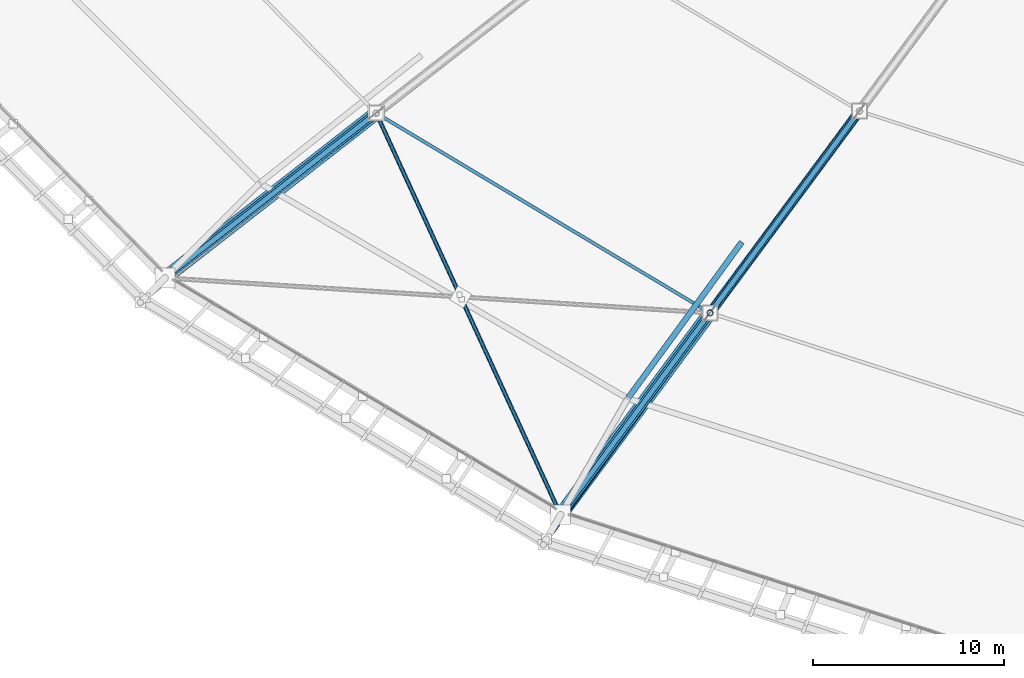
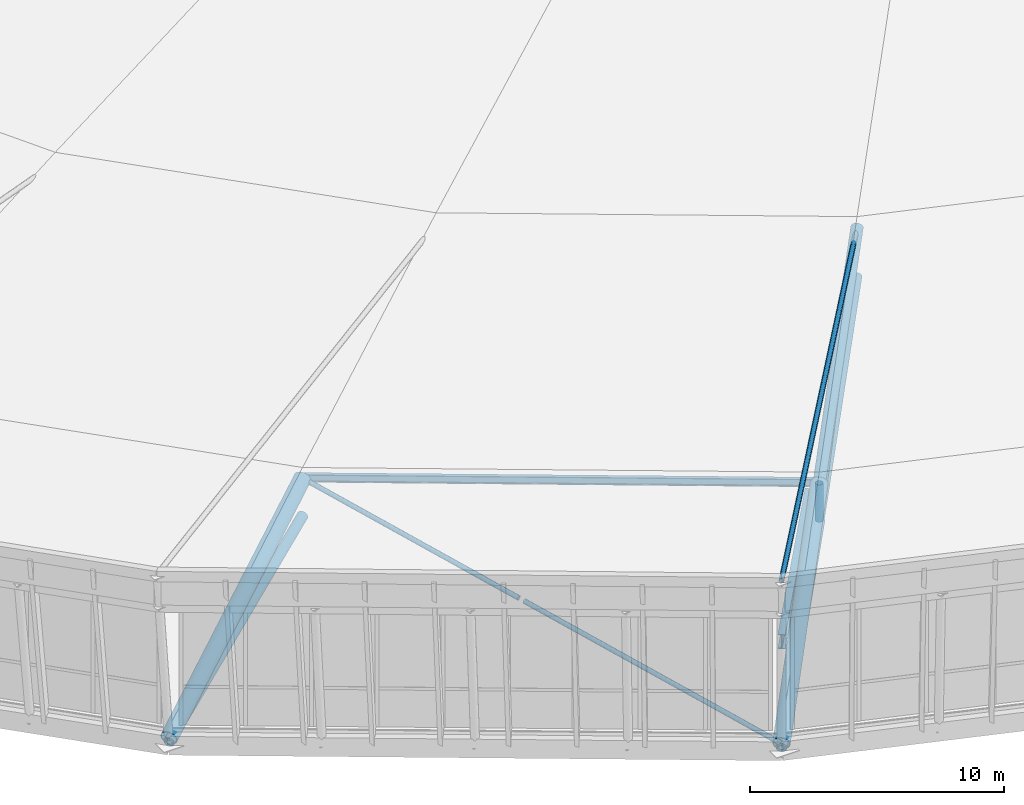
# One storey, part 4 of 115: 14 members, 1 beam.
"""IFC4 building model written with IfcOpenShell, lengths in metres."""

from ifc_helpers import new_model, si_unit, direction, frame, origin, origin_2d, place, context, subcontext, project, spatial, hollow_circle, i_section, extrude, material, material_profile, profile_set, type_object, element, save


model = new_model("IFC4")

# Units and contexts
model_context = context("Model", 3, precision=1e-05, world=origin(), true_north=direction((0.0, 1.0)))
body_context = subcontext(model_context, "Body", "Model", "MODEL_VIEW")
ifc_project = project(units=[si_unit("LENGTHUNIT", "METRE"), si_unit("AREAUNIT", "SQUARE_METRE"), si_unit("VOLUMEUNIT", "CUBIC_METRE"), si_unit("PLANEANGLEUNIT", "RADIAN"), si_unit("MASSUNIT", "GRAM", prefix="KILO")], contexts=[model_context])

# Site, building, storey
site_placement = place(None, origin())
site = spatial("IfcSite", under=ifc_project, at=site_placement, CompositionType="ELEMENT")
building_placement = place(site_placement, origin())
building = spatial("IfcBuilding", under=site, at=building_placement, Name="Zlatoyarsky Gate Stadium", CompositionType="ELEMENT")
storey_placement = place(building_placement, frame((0.0, 0.0, 31.800048828125)))
storey = spatial("IfcBuildingStorey", under=building, at=storey_placement, Name="RF", CompositionType="ELEMENT", Elevation=31.800048828125)

# Members
ifc_material = material(Name="Steel S355", Category="steel")
ifc_material_profile_1 = material_profile(ifc_material, hollow_circle(Radius=0.228515625, WallThickness=0.02490234375, at=origin_2d()), Name="CHS 457X25")
ifc_profile_set_1 = profile_set([ifc_material_profile_1], Name="Steel S355")
member_type_1 = type_object("IfcMemberType", Name="STEEL ARCH BOTTOM CHORD CHS 457X25", PredefinedType="CHORD", material=ifc_profile_set_1)
member_1_placement = place(storey_placement, frame((40.269775390625, 24.826171875, -0.449951171875), z_axis=(0.782072913981, 0.610058642375, 0.127241542272), x_axis=(-0.61505798075, 0.788481883315, 0.0)))
element("IfcMember", 1, at=member_1_placement, inside=storey, type_object=member_type_1, Name="Radial truss R16 bottom chord 1", PredefinedType="CHORD", context=body_context, shape_type="SweptSolid", body=[
    extrude(hollow_circle(Radius=0.228515625, WallThickness=0.02490234375, at=origin_2d()), origin(), (0.0, 0.0, 1.0), 14.144775390625),
])
member_2_placement = place(storey_placement, frame((60.986083984375, 12.426025390625, -0.449951171875), z_axis=(0.589420339324, 0.796361331741, 0.135618187937), x_axis=(-0.80378738221, 0.594916669963, 0.0)))
element("IfcMember", 2, at=member_2_placement, inside=storey, type_object=member_type_1, Name="Radial truss R17 bottom chord 1", PredefinedType="CHORD", context=body_context, shape_type="SweptSolid", body=[
    extrude(hollow_circle(Radius=0.228515625, WallThickness=0.02490234375, at=origin_2d()), origin(), (0.0, 0.0, 1.0), 13.27099609375),
])
ifc_material_profile_2 = material_profile(ifc_material, hollow_circle(Radius=0.203125, WallThickness=0.02001953125, at=origin_2d()), Name="CHS 406.4X20")
ifc_profile_set_2 = profile_set([ifc_material_profile_2], Name="Steel S355")
member_type_2 = type_object("IfcMemberType", Name="STEEL ARCH INNER CHORD CHS 406.4X20", PredefinedType="CHORD", material=ifc_profile_set_2)
member_3_placement = place(storey_placement, frame((68.808349609375, 22.99462890625, 1.349853515625), z_axis=(0.583615114034, 0.788517936062, 0.193991915245), x_axis=(-0.80378738221, 0.594916669963, 0.0)))
element("IfcMember", 3, at=member_3_placement, inside=storey, type_object=member_type_2, Name="Radial truss R17 bottom chord 2", PredefinedType="CHORD", context=body_context, shape_type="SweptSolid", body=[
    extrude(hollow_circle(Radius=0.203125, WallThickness=0.02001953125, at=origin_2d()), origin(), (0.0, 0.0, 1.0), 13.403076171875),
])
ifc_material_profile_3 = material_profile(ifc_material, hollow_circle(Radius=0.25390625, WallThickness=0.02490234375, at=origin_2d()), Name="CHS 508X25")
ifc_profile_set_3 = profile_set([ifc_material_profile_3], Name="Steel S355")
member_type_3 = type_object("IfcMemberType", Name="STEEL ARCH TOP CHORD CHS 508X25", PredefinedType="CHORD", material=ifc_profile_set_3)
member_4_placement = place(storey_placement, frame((68.808349609375, 22.99462890625, 3.14990234375), z_axis=(0.578544238692, 0.781666715004, 0.232988648934), x_axis=(-0.80378738221, 0.594916669963, 0.0)))
element("IfcMember", 4, at=member_4_placement, inside=storey, type_object=member_type_3, Name="Radial truss R17 top chord 2", PredefinedType="CHORD", context=body_context, shape_type="SweptSolid", body=[
    extrude(hollow_circle(Radius=0.25390625, WallThickness=0.02490234375, at=origin_2d()), origin(), (0.0, 0.0, 1.0), 13.5205078125),
])
ifc_material_profile_4 = material_profile(ifc_material, hollow_circle(Radius=0.35546875, WallThickness=0.031982421875, at=origin_2d()), Name="CHS 711X32")
ifc_profile_set_4 = profile_set([ifc_material_profile_4], Name="Steel S355")
member_type_4 = type_object("IfcMemberType", Name="STEEL ARCH TOP CHORD CHS 711X32", PredefinedType="CHORD", material=ifc_profile_set_4)
member_5_placement = place(storey_placement, frame((40.269775390625, 24.826171875, -0.25), z_axis=(0.76630202169, 0.597756504086, 0.235517246453), x_axis=(-0.61505798075, 0.788481883315, 0.0)))
element("IfcMember", 5, at=member_5_placement, inside=storey, type_object=member_type_4, Name="Radial truss R16 top chord 1", PredefinedType="CHORD", context=body_context, shape_type="SweptSolid", body=[
    extrude(hollow_circle(Radius=0.35546875, WallThickness=0.031982421875, at=origin_2d()), origin(), (0.0, 0.0, 1.0), 14.435791015625),
])
member_6_placement = place(storey_placement, frame((60.986083984375, 12.426025390625, -0.25), z_axis=(0.575972825416, 0.778192498109, 0.250343244904), x_axis=(-0.80378738221, 0.594916669963, 0.0)))
element("IfcMember", 6, at=member_6_placement, inside=storey, type_object=member_type_4, Name="Radial truss R17 top chord 1", PredefinedType="CHORD", context=body_context, shape_type="SweptSolid", body=[
    extrude(hollow_circle(Radius=0.35546875, WallThickness=0.031982421875, at=origin_2d()), origin(), (0.0, 0.0, 1.0), 13.5810546875),
])
ifc_material_profile_5 = material_profile(ifc_material, hollow_circle(Radius=0.109619140625, WallThickness=0.012451171875, at=origin_2d()), Name="CHS 219.1X12.5")
ifc_profile_set_5 = profile_set([ifc_material_profile_5], Name="Steel S355")
member_type_5 = type_object("IfcMemberType", Name="STEEL CANOPY WIND BRACE CHS 219.1X12.5", PredefinedType="BRACE", material=ifc_profile_set_5)
member_7_placement = place(storey_placement, frame((60.986083984375, 12.426025390625, -0.25), z_axis=(-0.412764835644, 0.899161253102, 0.145376171966), x_axis=(-0.90881610236, -0.417196946407, 0.0)))
element("IfcMember", 7, at=member_7_placement, inside=storey, type_object=member_type_5, Name="Roof wind X-brace split half-diagonal 15A", PredefinedType="BRACE", context=body_context, shape_type="SweptSolid", body=[
    extrude(hollow_circle(Radius=0.109619140625, WallThickness=0.012451171875, at=origin_2d()), origin(), (0.0, 0.0, 1.0), 12.550048828125),
])
member_8_placement = place(storey_placement, frame((55.693359375, 23.955078125, 1.614013671875), z_axis=(-0.412780345221, 0.899155932243, 0.145365044323), x_axis=(-0.908809222509, -0.417211933053, 0.0)))
element("IfcMember", 8, at=member_8_placement, inside=storey, type_object=member_type_5, Name="Roof wind X-brace split half-diagonal 15B", PredefinedType="BRACE", context=body_context, shape_type="SweptSolid", body=[
    extrude(hollow_circle(Radius=0.109619140625, WallThickness=0.012451171875, at=origin_2d()), origin(), (0.0, 0.0, 1.0), 10.565673828125),
])
member_9_placement = place(storey_placement, frame((60.077880859375, 10.852783203125, 8.849853515625), z_axis=(0.586600680652, 0.804819594626, -0.090360730217), x_axis=(-0.80812555425, 0.589010261853, 0.0)))
element("IfcMember", 9, at=member_9_placement, inside=storey, type_object=member_type_5, Name="Crown fascia tie brace 16", PredefinedType="BRACE", context=body_context, shape_type="SweptSolid", body=[
    extrude(hollow_circle(Radius=0.109619140625, WallThickness=0.012451171875, at=origin_2d()), origin(), (0.0, 0.0, 1.0), 28.218017578125),
])
ifc_material_profile_6 = material_profile(ifc_material, i_section(OverallWidth=0.169921875, OverallDepth=0.360107421875, WebThickness=0.008056640625, FlangeThickness=0.0126953125, FilletRadius=0.01806640625, at=origin_2d()), Name="IPE 360")
ifc_profile_set_6 = profile_set([ifc_material_profile_6], Name="Steel S355")
member_type_6 = type_object("IfcMemberType", Name="STEEL LONG SPAN PURLIN IPE 360", PredefinedType="PURLIN", material=ifc_profile_set_6)
member_10_placement = place(storey_placement, frame((51.33203125, 33.455322265625, 3.179931640625), z_axis=(0.858036074152, -0.513589423036, 0.0), x_axis=(0.513589423036, 0.858036074152, 0.0)))
element("IfcMember", 10, at=member_10_placement, inside=storey, type_object=member_type_6, Name="Stadium roof purlin 15.1", PredefinedType="PURLIN", context=body_context, shape_type="SweptSolid", body=[
    extrude(i_section(OverallWidth=0.169921875, OverallDepth=0.360107421875, WebThickness=0.008056640625, FlangeThickness=0.0126953125, FilletRadius=0.01806640625, at=origin_2d()), origin(), (0.0, 0.0, 1.0), 20.367919921875),
])

# Beam
ifc_material_profile_7 = material_profile(ifc_material, i_section(OverallWidth=0.300048828125, OverallDepth=0.699951171875, WebThickness=0.01708984375, FlangeThickness=0.031982421875, FilletRadius=0.027099609375, at=origin_2d()), Name="HEB 700")
ifc_profile_set_7 = profile_set([ifc_material_profile_7], Name="Steel S355")
beam_type = type_object("IfcBeamType", Name="STEEL ROOF RING GIRDER HEB 700", PredefinedType="BEAM", material=ifc_profile_set_7)
beam_placement = place(storey_placement, frame((70.476318359375, 26.70703125, -0.300048828125), z_axis=(-0.589220146404, -0.807972536087, 0.0), x_axis=(0.807972536087, -0.589220146404, 0.0)))
element("IfcBeam", 11, at=beam_placement, inside=storey, type_object=beam_type, Name="RF roof tie girder BM-RF-RBC-16", PredefinedType="BEAM", context=body_context, shape_type="SweptSolid", body=[
    extrude(i_section(OverallWidth=0.300048828125, OverallDepth=0.699951171875, WebThickness=0.01708984375, FlangeThickness=0.031982421875, FilletRadius=0.027099609375, at=origin_2d()), origin(), (0.0, 0.0, 1.0), 10.1025390625),
])

# Members
ifc_material_profile_8 = material_profile(ifc_material, hollow_circle(Radius=0.136474609375, WallThickness=0.01611328125, at=origin_2d()), Name="CHS 273X16")
ifc_profile_set_8 = profile_set([ifc_material_profile_8], Name="Steel S355")
member_type_7 = type_object("IfcMemberType", Name="STEEL ROOF TRUSS DIAGONAL CHS 273X16", PredefinedType="BRACE", material=ifc_profile_set_8)
member_11_placement = place(storey_placement, frame((40.269775390625, 24.826171875, -0.449951171875), z_axis=(0.76374161775, 0.595759252265, 0.248535016965), x_axis=(-0.61505798075, 0.788481883315, 0.0)))
element("IfcMember", 12, at=member_11_placement, inside=storey, type_object=member_type_7, Name="Radial truss R16 web diagonal 1", PredefinedType="BRACE", context=body_context, shape_type="SweptSolid", body=[
    extrude(hollow_circle(Radius=0.136474609375, WallThickness=0.01611328125, at=origin_2d()), origin(), (0.0, 0.0, 1.0), 14.484375),
])
member_12_placement = place(storey_placement, frame((60.986083984375, 12.426025390625, -0.449951171875), z_axis=(0.573799851096, 0.775256609054, 0.264066129975), x_axis=(-0.80378738221, 0.594916669963, 0.0)))
element("IfcMember", 13, at=member_12_placement, inside=storey, type_object=member_type_7, Name="Radial truss R17 web diagonal 1", PredefinedType="BRACE", context=body_context, shape_type="SweptSolid", body=[
    extrude(hollow_circle(Radius=0.136474609375, WallThickness=0.01611328125, at=origin_2d()), origin(), (0.0, 0.0, 1.0), 13.63232421875),
])
member_13_placement = place(storey_placement, frame((68.808349609375, 22.99462890625, 1.349853515625), z_axis=(0.55676582184, 0.752242061849, 0.352340318465), x_axis=(-0.80378738221, 0.594916669963, 0.0)))
element("IfcMember", 14, at=member_13_placement, inside=storey, type_object=member_type_7, Name="Radial truss R17 web diagonal 2", PredefinedType="BRACE", context=body_context, shape_type="SweptSolid", body=[
    extrude(hollow_circle(Radius=0.136474609375, WallThickness=0.01611328125, at=origin_2d()), origin(), (0.0, 0.0, 1.0), 14.049560546875),
])
ifc_material_profile_9 = material_profile(ifc_material, hollow_circle(Radius=0.161865234375, WallThickness=0.01611328125, at=origin_2d()), Name="CHS 323.9X16")
ifc_profile_set_9 = profile_set([ifc_material_profile_9], Name="Steel S355")
member_type_8 = type_object("IfcMemberType", Name="STEEL TRUSS WEB STRUT CHS 323.9X16", PredefinedType="STRUT", material=ifc_profile_set_9)
member_14_placement = place(storey_placement, frame((68.808349609375, 22.99462890625, 1.349853515625), z_axis=(0.0, 0.0, 1.0), x_axis=(1.0, 0.0, 0.0)))
element("IfcMember", 15, at=member_14_placement, inside=storey, type_object=member_type_8, Name="Radial truss R17 web strut 1", PredefinedType="STRUT", context=body_context, shape_type="SweptSolid", body=[
    extrude(hollow_circle(Radius=0.161865234375, WallThickness=0.01611328125, at=origin_2d()), origin(), (0.0, 0.0, 1.0), 1.800048828125),
])

save(model, "model.ifc")
